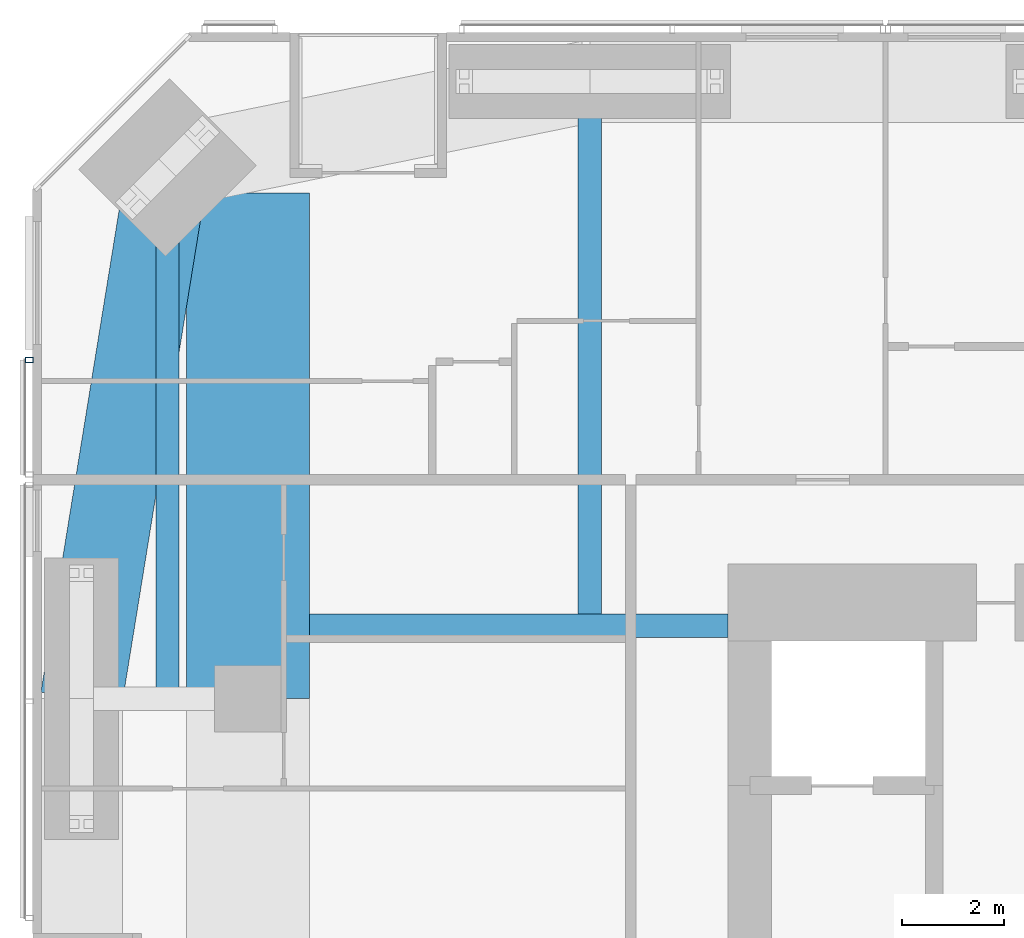
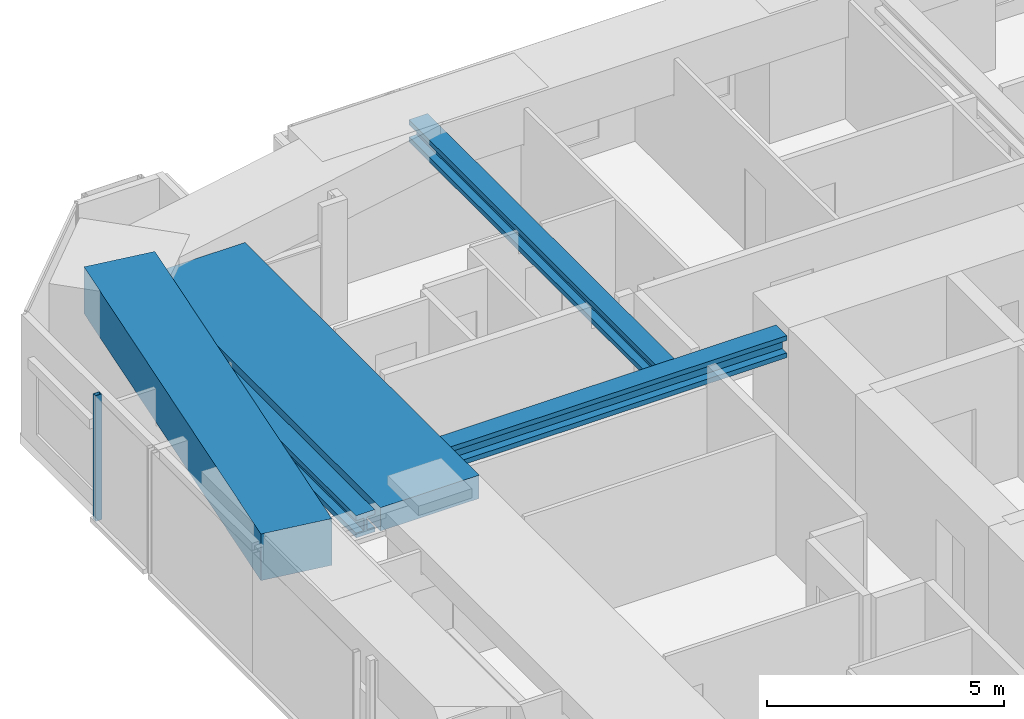
# One storey, part 7 of 23: 5 beams, 1 member, 1 element without a shape of its own.
"""IFC4 building model written with IfcOpenShell, lengths in metres."""

from ifc_helpers import new_model, si_unit, direction, frame, origin, origin_2d, place, context, subcontext, project, spatial, rectangle, hollow_rectangle, i_section, extrude, material, material_profile, profile_set, type_object, element, aggregate, save


model = new_model("IFC4")

# Units and contexts
model_context = context("Model", 3, precision=1e-05, world=origin(), true_north=direction((0.0, 1.0)))
body_context = subcontext(model_context, "Body", "Model", "MODEL_VIEW")
ifc_project = project(units=[si_unit("LENGTHUNIT", "METRE"), si_unit("AREAUNIT", "SQUARE_METRE"), si_unit("VOLUMEUNIT", "CUBIC_METRE"), si_unit("PLANEANGLEUNIT", "RADIAN"), si_unit("MASSUNIT", "GRAM", prefix="KILO")], contexts=[model_context])

# Site, building, storey
site_placement = place(None, origin())
site = spatial("IfcSite", under=ifc_project, at=site_placement, CompositionType="ELEMENT")
building_placement = place(site_placement, origin())
building = spatial("IfcBuilding", under=site, at=building_placement, Name="Jalousie Tower", CompositionType="ELEMENT")
storey_placement = place(building_placement, frame((0.0, 0.0, 114.89990234375)))
storey = spatial("IfcBuildingStorey", under=building, at=storey_placement, Name="L31", CompositionType="ELEMENT", Elevation=114.89990234375)

# Beams
ifc_material_1 = material(Name="Steel ASTM A992 Grade 50", Category="steel")
ifc_material_profile_1 = material_profile(ifc_material_1, i_section(OverallWidth=0.45458984375, OverallDepth=0.569091796875, WebThickness=0.077880859375, FlangeThickness=0.124755859375, at=origin_2d()), Name="W14X730")
ifc_profile_set_1 = profile_set([ifc_material_profile_1], Name="Steel ASTM A992 Grade 50")
beam_type_1 = type_object("IfcBeamType", Name="LEAN COLLECTOR W14X730", PredefinedType="BEAM", material=ifc_profile_set_1)
beam_1_placement = place(storey_placement, frame((11.39990234375, 26.425048828125, 2.82568359375), z_axis=(1.0, 0.0, 0.0), x_axis=(0.0, 1.0, 0.0)))
element("IfcBeam", 1, at=beam_1_placement, inside=storey, type_object=beam_type_1, Name="Lean collector under L32", PredefinedType="BEAM", context=body_context, shape_type="SweptSolid", body=[
    extrude(i_section(OverallWidth=0.45458984375, OverallDepth=0.569091796875, WebThickness=0.077880859375, FlangeThickness=0.124755859375, at=origin_2d()), origin(), (0.0, 0.0, 1.0), 8.175048828125),
])
beam_2_placement = place(storey_placement, frame((8.63134765625, 35.36865234375, 2.82568359375), z_axis=(0.0, -1.0, 0.0), x_axis=(1.0, 0.0, 0.0)))
element("IfcBeam", 2, at=beam_2_placement, inside=storey, type_object=beam_type_1, Name="Lean collector under L32", PredefinedType="BEAM", context=body_context, shape_type="SweptSolid", body=[
    extrude(i_section(OverallWidth=0.45458984375, OverallDepth=0.569091796875, WebThickness=0.077880859375, FlangeThickness=0.124755859375, at=origin_2d()), origin(), (0.0, 0.0, 1.0), 10.36865234375),
])
beam_3_placement = place(storey_placement, frame((16.875, 37.050048828125, 2.82568359375), z_axis=(0.0, -1.0, 0.0), x_axis=(1.0, 0.0, 0.0)))
element("IfcBeam", 3, at=beam_3_placement, inside=storey, type_object=beam_type_1, Name="Lean collector under L32", PredefinedType="BEAM", context=body_context, shape_type="SweptSolid", body=[
    extrude(i_section(OverallWidth=0.45458984375, OverallDepth=0.569091796875, WebThickness=0.077880859375, FlangeThickness=0.124755859375, at=origin_2d()), origin(), (0.0, 0.0, 1.0), 10.625),
])
ifc_material_2 = material(Name="Concrete f'c 40 MPa", Category="concrete")
ifc_material_profile_2 = material_profile(ifc_material_2, rectangle(XDim=1.60009765625, YDim=1.199951171875, at=origin_2d()), Name="RC 1600x1200")
ifc_profile_set_2 = profile_set([ifc_material_profile_2], Name="Concrete f'c 40 MPa")
beam_type_2 = type_object("IfcBeamType", Name="RC BEAM 1600x1200", PredefinedType="BEAM", material=ifc_profile_set_2)
beam_4_placement = place(storey_placement, frame((8.63134765625, 35.36865234375, 2.75), z_axis=(-0.160070546476, -0.987105577003, 0.0), x_axis=(0.987105577003, -0.160070546476, 0.0)))
element("IfcBeam", 4, at=beam_4_placement, inside=storey, type_object=beam_type_2, Name="Edge band beam 12-13 under L32", PredefinedType="BEAM", context=body_context, shape_type="SweptSolid", body=[
    extrude(rectangle(XDim=1.60009765625, YDim=1.199951171875, at=origin_2d()), origin(), (0.0, 0.0, 1.0), 10.504150390625),
])
ifc_material_3 = material(Name="Concrete f'c 40 MPa", Category="concrete")
ifc_material_profile_3 = material_profile(ifc_material_3, rectangle(XDim=2.39990234375, YDim=0.60009765625, at=origin_2d()), Name="RC 2400x600")
ifc_profile_set_3 = profile_set([ifc_material_profile_3], Name="Concrete f'c 40 MPa")
beam_type_3 = type_object("IfcBeamType", Name="RC BEAM 2400x600", PredefinedType="BEAM", material=ifc_profile_set_3)
beam_5_placement = place(storey_placement, frame((10.199951171875, 25.0, 2.81005859375), z_axis=(0.0, 1.0, 0.0), x_axis=(-1.0, 0.0, 0.0)))
element("IfcBeam", 5, at=beam_5_placement, inside=storey, type_object=beam_type_3, Name="Floor band beam under L32", PredefinedType="BEAM", context=body_context, shape_type="SweptSolid", body=[
    extrude(rectangle(XDim=2.39990234375, YDim=0.60009765625, at=origin_2d()), origin(), (0.0, 0.0, 1.0), 9.8720703125),
])

# Curtain wall, member
ifc_material_4 = material(Name="Perforated aluminium sheet", Category="aluminium")
curtain_wall_type = type_object("IfcCurtainWallType", Name="SOLAR SCREEN SS-1", PredefinedType="USERDEFINED", material=ifc_material_4)
curtain_wall_placement = place(storey_placement, origin())
curtain_wall = element("IfcCurtainWall", 6, at=curtain_wall_placement, inside=storey, type_object=curtain_wall_type, Name="Solar screen L31", ObjectType="SOLAR SCREEN SS-1", PredefinedType="USERDEFINED")
ifc_material_5 = material(Name="Steel ASTM A500 Grade C", Category="steel")
ifc_material_profile_4 = material_profile(ifc_material_5, hollow_rectangle(XDim=0.1015625, YDim=0.15234375, WallThickness=0.00634765625, at=origin_2d()), Name="HSS6X4X1/4")
ifc_profile_set_4 = profile_set([ifc_material_profile_4], Name="Steel ASTM A500 Grade C")
member_type = type_object("IfcMemberType", Name="SOLAR SCREEN SS-1 MULLION", PredefinedType="MULLION", material=ifc_profile_set_4)
member_placement = place(storey_placement, frame((5.9287109375, 31.6123046875, -0.119873046875), z_axis=(0.0, 0.0, 1.0), x_axis=(0.0, -1.0, 0.0)))
member = element("IfcMember", 7, at=member_placement, type_object=member_type, Name="SS1 post 1", PredefinedType="MULLION", context=body_context, shape_type="SweptSolid", body=[
    extrude(hollow_rectangle(XDim=0.1015625, YDim=0.15234375, WallThickness=0.00634765625, at=origin_2d()), origin(), (0.0, 0.0, 1.0), 3.22998046875),
])
aggregate(curtain_wall, [member])

save(model, "model.ifc")
